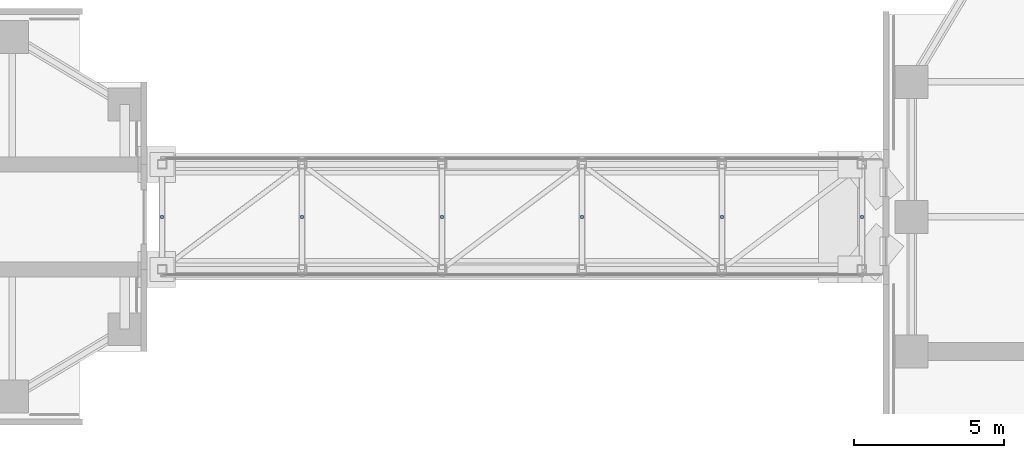
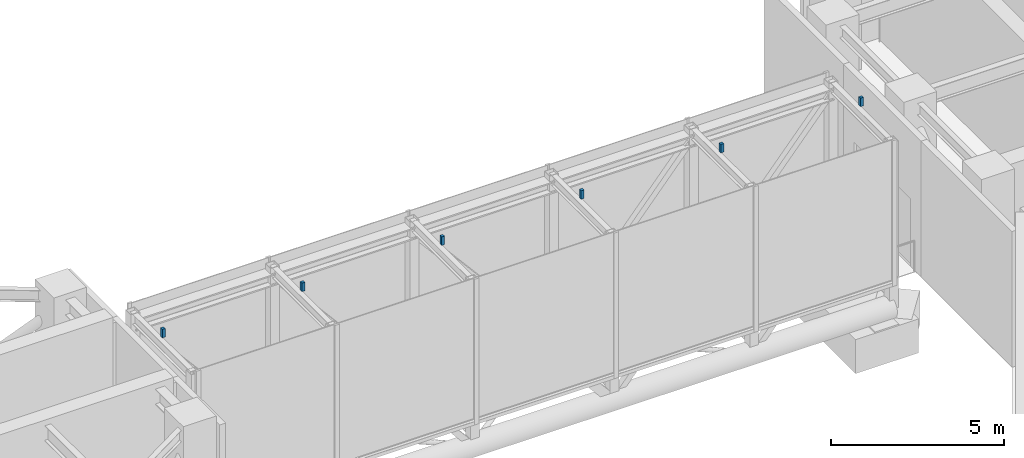
# One storey, part 13 of 15: 6 discrete accessories.
"""IFC4 building model written with IfcOpenShell, lengths in metres."""

from ifc_helpers import new_model, si_unit, direction, frame, origin, origin_2d, place, context, subcontext, project, spatial, rectangle, extrude, material, material_profile, profile_set, type_object, element, save


model = new_model("IFC4")

# Units and contexts
model_context = context("Model", 3, precision=1e-05, world=origin(), true_north=direction((0.0, 1.0)))
body_context = subcontext(model_context, "Body", "Model", "MODEL_VIEW")
ifc_project = project(units=[si_unit("LENGTHUNIT", "METRE"), si_unit("AREAUNIT", "SQUARE_METRE"), si_unit("VOLUMEUNIT", "CUBIC_METRE"), si_unit("PLANEANGLEUNIT", "RADIAN"), si_unit("MASSUNIT", "GRAM", prefix="KILO")], contexts=[model_context])

# Site, building, storey
site_placement = place(None, origin())
site = spatial("IfcSite", under=ifc_project, at=site_placement, CompositionType="ELEMENT")
building_placement = place(site_placement, origin())
building = spatial("IfcBuilding", under=site, at=building_placement, Name="Upepo Twin Towers", CompositionType="ELEMENT")
storey_placement = place(building_placement, frame((0.0, 0.0, 238.5)))
storey = spatial("IfcBuildingStorey", under=building, at=storey_placement, Name="L58", CompositionType="ELEMENT", Elevation=238.5)

# Discrete accessories
ifc_material = material(Name="Stainless steel 1.4401", Category="steel")
ifc_material_profile = material_profile(ifc_material, rectangle(XDim=0.10009765625, YDim=0.10009765625, at=origin_2d()), Name="ANCHOR POST 100x100")
ifc_profile_set = profile_set([ifc_material_profile], Name="Stainless steel 1.4401")
discrete_accessory_type = type_object("IfcDiscreteAccessoryType", Name="Fall-arrest anchor, stainless steel, to EN 795 type A", PredefinedType="USERDEFINED", material=ifc_profile_set)
for number, where, z_axis, x_axis, name in (
    (1, (27.5, 0.0, 4.949951171875), (0.0, 0.0, 1.0), (1.0, 0.0, 0.0), "BR3 roof fall-arrest anchor 1"),
    (2, (32.16796875, 0.0, 4.949951171875), (0.0, 0.0, 1.0), (1.0, 0.0, 0.0), "BR3 roof fall-arrest anchor 2"),
    (3, (36.8359375, 0.0, 4.949951171875), (0.0, 0.0, 1.0), (1.0, 0.0, 0.0), "BR3 roof fall-arrest anchor 3"),
    (4, (41.50390625, 0.0, 4.949951171875), (0.0, 0.0, 1.0), (1.0, 0.0, 0.0), "BR3 roof fall-arrest anchor 4"),
    (5, (46.172119140625, 0.0, 4.949951171875), (0.0, 0.0, 1.0), (1.0, 0.0, 0.0), "BR3 roof fall-arrest anchor 5"),
    (6, (50.840087890625, 0.0, 4.949951171875), (0.0, 0.0, 1.0), (1.0, 0.0, 0.0), "BR3 roof fall-arrest anchor 6"),
):
    element("IfcDiscreteAccessory", number, at=place(storey_placement, frame(where, z_axis=z_axis, x_axis=x_axis)), inside=storey, type_object=discrete_accessory_type, Name=name, ObjectType="ANCHOR", PredefinedType="USERDEFINED", context=body_context, shape_type="SweptSolid", body=[
        extrude(rectangle(XDim=0.10009765625, YDim=0.10009765625, at=origin_2d()), origin(), (0.0, 0.0, 1.0), 0.300048828125),
    ])

save(model, "model.ifc")
